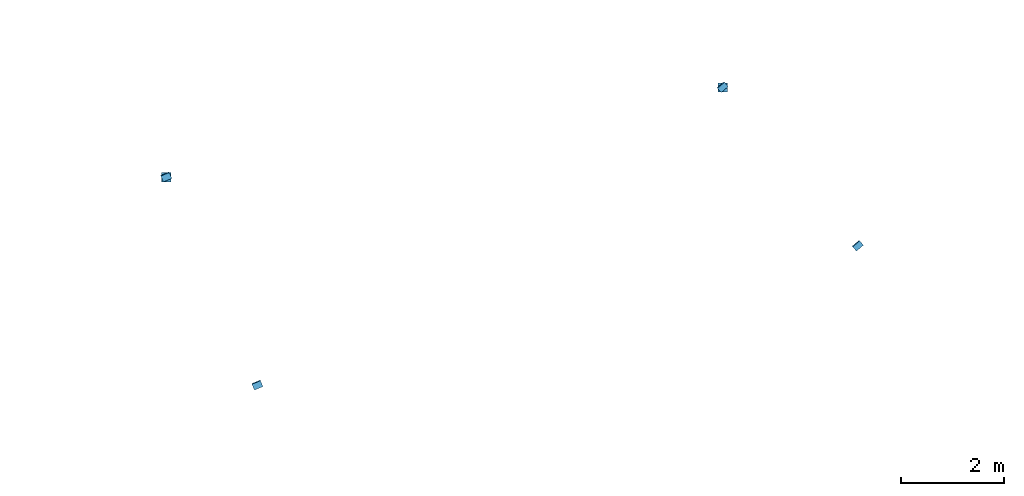
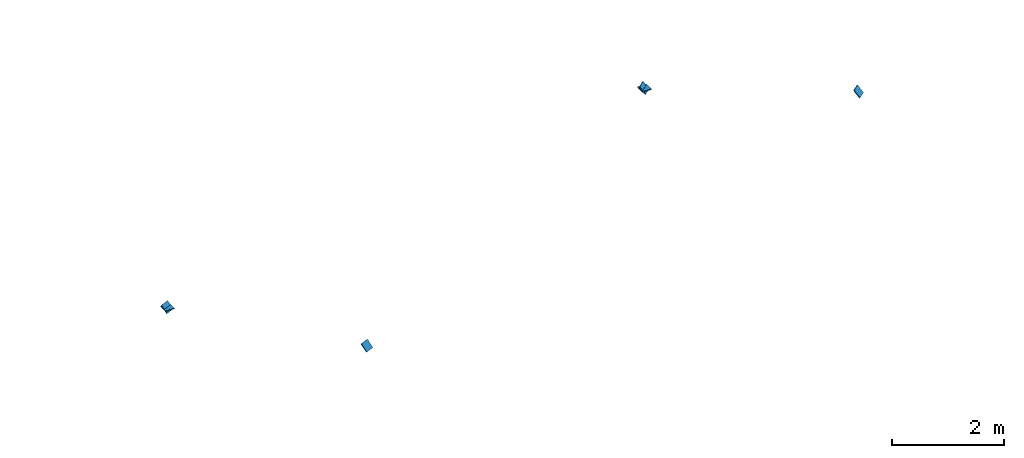
# One storey, part 104 of 173: 6 discrete accessories.
"""IFC4 building model written with IfcOpenShell, lengths in metres."""

from ifc_helpers import new_model, si_unit, direction, frame, origin, origin_2d, place, context, subcontext, project, spatial, rectangle, extrude, material, material_profile, profile_set, type_object, element, save


model = new_model("IFC4")

# Units and contexts
model_context = context("Model", 3, precision=1e-05, world=origin(), true_north=direction((0.0, 1.0)))
body_context = subcontext(model_context, "Body", "Model", "MODEL_VIEW")
ifc_project = project(units=[si_unit("LENGTHUNIT", "METRE"), si_unit("AREAUNIT", "SQUARE_METRE"), si_unit("VOLUMEUNIT", "CUBIC_METRE"), si_unit("PLANEANGLEUNIT", "RADIAN"), si_unit("MASSUNIT", "GRAM", prefix="KILO")], contexts=[model_context])

# Site, building, storey
site_placement = place(None, origin())
site = spatial("IfcSite", under=ifc_project, at=site_placement, CompositionType="ELEMENT")
building_placement = place(site_placement, origin())
building = spatial("IfcBuilding", under=site, at=building_placement, Name="Meseta Stadium", CompositionType="ELEMENT")
storey_placement = place(building_placement, frame((0.0, 0.0, 18.0)))
storey = spatial("IfcBuildingStorey", under=building, at=storey_placement, Name="L03", CompositionType="ELEMENT", Elevation=18.0)

# Discrete accessories
ifc_material = material(Name="Steel S355", Category="steel")
ifc_material_profile = material_profile(ifc_material, rectangle(XDim=0.179931640625, YDim=0.179931640625, at=origin_2d()), Name="PL 180x180")
ifc_profile_set = profile_set([ifc_material_profile], Name="Steel S355")
discrete_accessory_type = type_object("IfcDiscreteAccessoryType", Name="End plate 180x180x20", PredefinedType="ANCHORPLATE", material=ifc_profile_set)
discrete_accessory_1_placement = place(storey_placement, frame((23.879638671875, -65.576904296875, 4.32470703125), z_axis=(0.0, 0.0, 1.0), x_axis=(1.0, 0.0, 0.0)))
element("IfcDiscreteAccessory", 1, at=discrete_accessory_1_placement, inside=storey, type_object=discrete_accessory_type, Name="End plate of ROOF TRUSS RT-49 post", PredefinedType="ANCHORPLATE", context=body_context, shape_type="SweptSolid", body=[
    extrude(rectangle(XDim=0.179931640625, YDim=0.179931640625, at=origin_2d()), origin(), (0.0, 0.0, 1.0), 0.02001953125),
])
discrete_accessory_2_placement = place(storey_placement, frame((23.8740234375, -65.563720703125, 4.3310546875), z_axis=(0.28351881865, -0.66565287857, 0.690306688887), x_axis=(0.92002397899, 0.391862065125, 0.0)))
element("IfcDiscreteAccessory", 2, at=discrete_accessory_2_placement, inside=storey, type_object=discrete_accessory_type, Name="End plate of ROOF TRUSS RT-49 diagonal", PredefinedType="ANCHORPLATE", context=body_context, shape_type="SweptSolid", body=[
    extrude(rectangle(XDim=0.179931640625, YDim=0.179931640625, at=origin_2d()), origin(), (0.0, 0.0, 1.0), 0.019775390625),
])
for number, where, z_axis, x_axis, name in (
    (3, (25.649169921875, -69.619384765625, 5.329833984375), (0.281199650866, -0.672433947723, 0.6846600195), (0.922579877145, 0.385806130442, 0.0), "End plate of ROOF TRUSS RT-49 diagonal"),
    (4, (34.722412109375, -63.827392578125, 4.246337890625), (0.0, 0.0, 1.0), (1.0, 0.0, 0.0), "End plate of ROOF TRUSS RT-51 post"),
    (5, (34.712158203125, -63.8154296875, 4.254150390625), (0.514457157149, -0.600200016674, 0.612448996606), (0.759256602365, 0.650791373456, 0.0), "End plate of ROOF TRUSS RT-51 diagonal"),
    (6, (37.3466796875, -66.90478515625, 5.12646484375), (0.510602919511, -0.595703406096, 0.620017830835), (0.759256602365, 0.650791373456, 0.0), "End plate of ROOF TRUSS RT-51 diagonal"),
):
    element("IfcDiscreteAccessory", number, at=place(storey_placement, frame(where, z_axis=z_axis, x_axis=x_axis)), inside=storey, type_object=discrete_accessory_type, Name=name, PredefinedType="ANCHORPLATE", context=body_context, shape_type="SweptSolid", body=[
        extrude(rectangle(XDim=0.179931640625, YDim=0.179931640625, at=origin_2d()), origin(), (0.0, 0.0, 1.0), 0.02001953125),
    ])

save(model, "model.ifc")
